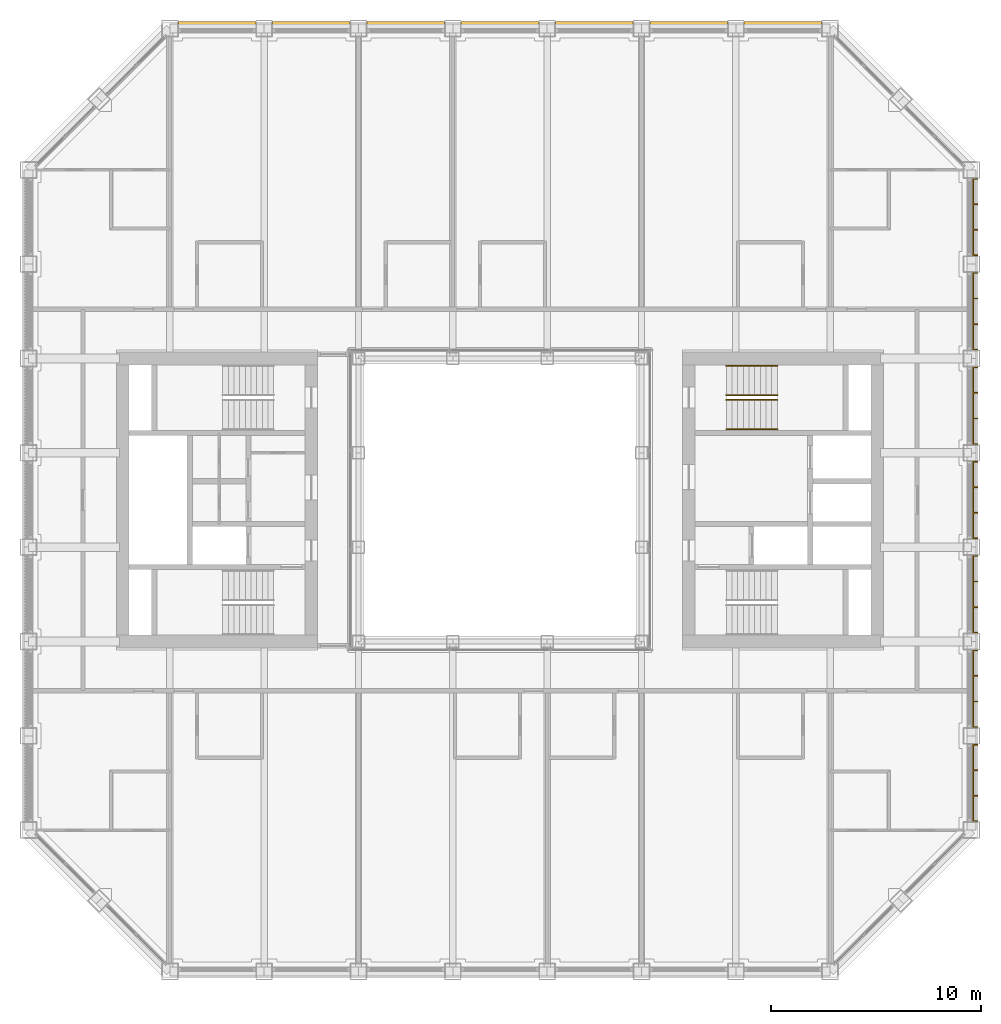
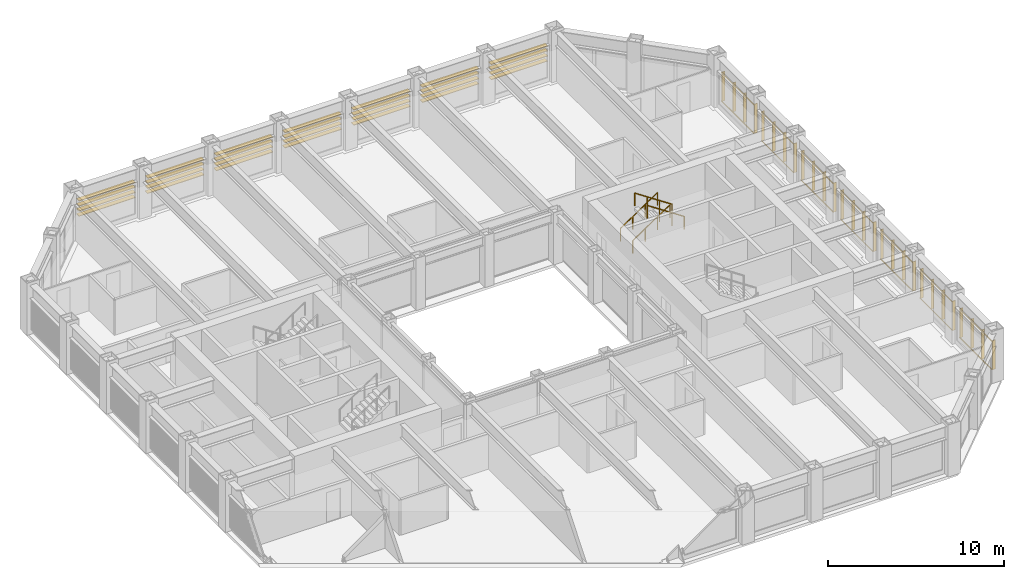
# One storey, part 17 of 17: 4 railings, 2 shading devices.
"""IFC4 building model written with IfcOpenShell, lengths in metres."""

from ifc_helpers import new_model, si_unit, direction, frame, origin, origin_2d, place, context, subcontext, project, spatial, rectangle, circle, extrude, material, type_object, element, save


model = new_model("IFC4")

# Units and contexts
model_context = context("Model", 3, precision=1e-05, world=origin(), true_north=direction((0.0, 1.0)))
body_context = subcontext(model_context, "Body", "Model", "MODEL_VIEW")
ifc_project = project(units=[si_unit("LENGTHUNIT", "METRE"), si_unit("AREAUNIT", "SQUARE_METRE"), si_unit("VOLUMEUNIT", "CUBIC_METRE"), si_unit("PLANEANGLEUNIT", "RADIAN"), si_unit("MASSUNIT", "GRAM", prefix="KILO")], contexts=[model_context])

# Site, building, storey
site_placement = place(None, origin())
site = spatial("IfcSite", under=ifc_project, at=site_placement, CompositionType="ELEMENT")
building_placement = place(site_placement, origin())
building = spatial("IfcBuilding", under=site, at=building_placement, Name="Msasa Ring Tower", CompositionType="ELEMENT")
storey_placement = place(building_placement, frame((0.0, 0.0, 168.800048828125)))
storey = spatial("IfcBuildingStorey", under=building, at=storey_placement, Name="L44", CompositionType="ELEMENT", Elevation=168.800048828125)

# Shading device
ifc_material_1 = material(Name="Extruded terracotta on aluminium carriers", Category="masonry")
shading_device_type_1 = type_object("IfcShadingDeviceType", Name="BS2 TERRACOTTA FIN SCREEN 40x200 AT 1350", PredefinedType="USERDEFINED", material=ifc_material_1)
shading_device_1_placement = place(storey_placement, origin())
element("IfcShadingDevice", 1, at=shading_device_1_placement, inside=storey, type_object=shading_device_type_1, Name="Terracotta fin screen E L44", ObjectType="BAGUETTE", PredefinedType="USERDEFINED", context=body_context, shape_type="SweptSolid", body=[
    extrude(rectangle(XDim=0.06005859375, YDim=0.0400390625, at=origin_2d()), frame((22.580078125, -15.35009765625, 0.329833984375), z_axis=(0.0, 1.0, 0.0), x_axis=(0.0, 0.0, 1.0)), (0.0, 0.0, 1.0), 3.699951171875),
    extrude(rectangle(XDim=0.06005859375, YDim=0.0400390625, at=origin_2d()), frame((22.580078125, -15.35009765625, 2.299072265625), z_axis=(0.0, 1.0, 0.0), x_axis=(0.0, 0.0, 1.0)), (0.0, 0.0, 1.0), 3.699951171875),
    extrude(rectangle(XDim=0.0400390625, YDim=0.199951171875, at=origin_2d()), frame((22.695068359375, -15.330078125, 0.300048828125), z_axis=(0.0, 0.0, 1.0), x_axis=(0.0, 1.0, 0.0)), (0.0, 0.0, 1.0), 2.02880859375),
    extrude(rectangle(XDim=0.0400390625, YDim=0.199951171875, at=origin_2d()), frame((22.695068359375, -14.110107421875, 0.300048828125), z_axis=(0.0, 0.0, 1.0), x_axis=(0.0, 1.0, 0.0)), (0.0, 0.0, 1.0), 2.02880859375),
    extrude(rectangle(XDim=0.0400390625, YDim=0.199951171875, at=origin_2d()), frame((22.695068359375, -12.889892578125, 0.300048828125), z_axis=(0.0, 0.0, 1.0), x_axis=(0.0, 1.0, 0.0)), (0.0, 0.0, 1.0), 2.02880859375),
    extrude(rectangle(XDim=0.0400390625, YDim=0.199951171875, at=origin_2d()), frame((22.695068359375, -11.669921875, 0.300048828125), z_axis=(0.0, 0.0, 1.0), x_axis=(0.0, 1.0, 0.0)), (0.0, 0.0, 1.0), 2.02880859375),
    extrude(rectangle(XDim=0.06005859375, YDim=0.0400390625, at=origin_2d()), frame((22.580078125, -10.85009765625, 0.329833984375), z_axis=(0.0, 1.0, 0.0), x_axis=(0.0, 0.0, 1.0)), (0.0, 0.0, 1.0), 3.699951171875),
    extrude(rectangle(XDim=0.06005859375, YDim=0.0400390625, at=origin_2d()), frame((22.580078125, -10.85009765625, 2.299072265625), z_axis=(0.0, 1.0, 0.0), x_axis=(0.0, 0.0, 1.0)), (0.0, 0.0, 1.0), 3.699951171875),
    extrude(rectangle(XDim=0.0400390625, YDim=0.199951171875, at=origin_2d()), frame((22.695068359375, -10.830078125, 0.300048828125), z_axis=(0.0, 0.0, 1.0), x_axis=(0.0, 1.0, 0.0)), (0.0, 0.0, 1.0), 2.02880859375),
    extrude(rectangle(XDim=0.0400390625, YDim=0.199951171875, at=origin_2d()), frame((22.695068359375, -9.610107421875, 0.300048828125), z_axis=(0.0, 0.0, 1.0), x_axis=(0.0, 1.0, 0.0)), (0.0, 0.0, 1.0), 2.02880859375),
    extrude(rectangle(XDim=0.0400390625, YDim=0.199951171875, at=origin_2d()), frame((22.695068359375, -8.389892578125, 0.300048828125), z_axis=(0.0, 0.0, 1.0), x_axis=(0.0, 1.0, 0.0)), (0.0, 0.0, 1.0), 2.02880859375),
    extrude(rectangle(XDim=0.0400390625, YDim=0.199951171875, at=origin_2d()), frame((22.695068359375, -7.169921875, 0.300048828125), z_axis=(0.0, 0.0, 1.0), x_axis=(0.0, 1.0, 0.0)), (0.0, 0.0, 1.0), 2.02880859375),
    extrude(rectangle(XDim=0.06005859375, YDim=0.0400390625, at=origin_2d()), frame((22.580078125, -6.35009765625, 0.329833984375), z_axis=(0.0, 1.0, 0.0), x_axis=(0.0, 0.0, 1.0)), (0.0, 0.0, 1.0), 3.699951171875),
    extrude(rectangle(XDim=0.06005859375, YDim=0.0400390625, at=origin_2d()), frame((22.580078125, -6.35009765625, 2.299072265625), z_axis=(0.0, 1.0, 0.0), x_axis=(0.0, 0.0, 1.0)), (0.0, 0.0, 1.0), 3.699951171875),
    extrude(rectangle(XDim=0.0400390625, YDim=0.199951171875, at=origin_2d()), frame((22.695068359375, -6.330078125, 0.300048828125), z_axis=(0.0, 0.0, 1.0), x_axis=(0.0, 1.0, 0.0)), (0.0, 0.0, 1.0), 2.02880859375),
    extrude(rectangle(XDim=0.0400390625, YDim=0.199951171875, at=origin_2d()), frame((22.695068359375, -5.110107421875, 0.300048828125), z_axis=(0.0, 0.0, 1.0), x_axis=(0.0, 1.0, 0.0)), (0.0, 0.0, 1.0), 2.02880859375),
    extrude(rectangle(XDim=0.0400390625, YDim=0.199951171875, at=origin_2d()), frame((22.695068359375, -3.889892578125, 0.300048828125), z_axis=(0.0, 0.0, 1.0), x_axis=(0.0, 1.0, 0.0)), (0.0, 0.0, 1.0), 2.02880859375),
    extrude(rectangle(XDim=0.0400390625, YDim=0.199951171875, at=origin_2d()), frame((22.695068359375, -2.669921875, 0.300048828125), z_axis=(0.0, 0.0, 1.0), x_axis=(0.0, 1.0, 0.0)), (0.0, 0.0, 1.0), 2.02880859375),
    extrude(rectangle(XDim=0.06005859375, YDim=0.0400390625, at=origin_2d()), frame((22.580078125, -1.85009765625, 0.329833984375), z_axis=(0.0, 1.0, 0.0), x_axis=(0.0, 0.0, 1.0)), (0.0, 0.0, 1.0), 3.699951171875),
    extrude(rectangle(XDim=0.06005859375, YDim=0.0400390625, at=origin_2d()), frame((22.580078125, -1.85009765625, 2.299072265625), z_axis=(0.0, 1.0, 0.0), x_axis=(0.0, 0.0, 1.0)), (0.0, 0.0, 1.0), 3.699951171875),
    extrude(rectangle(XDim=0.0400390625, YDim=0.199951171875, at=origin_2d()), frame((22.695068359375, -1.830078125, 0.300048828125), z_axis=(0.0, 0.0, 1.0), x_axis=(0.0, 1.0, 0.0)), (0.0, 0.0, 1.0), 2.02880859375),
    extrude(rectangle(XDim=0.0400390625, YDim=0.199951171875, at=origin_2d()), frame((22.695068359375, -0.610107421875, 0.300048828125), z_axis=(0.0, 0.0, 1.0), x_axis=(0.0, 1.0, 0.0)), (0.0, 0.0, 1.0), 2.02880859375),
    extrude(rectangle(XDim=0.0400390625, YDim=0.199951171875, at=origin_2d()), frame((22.695068359375, 0.610107421875, 0.300048828125), z_axis=(0.0, 0.0, 1.0), x_axis=(0.0, 1.0, 0.0)), (0.0, 0.0, 1.0), 2.02880859375),
    extrude(rectangle(XDim=0.0400390625, YDim=0.199951171875, at=origin_2d()), frame((22.695068359375, 1.830078125, 0.300048828125), z_axis=(0.0, 0.0, 1.0), x_axis=(0.0, 1.0, 0.0)), (0.0, 0.0, 1.0), 2.02880859375),
    extrude(rectangle(XDim=0.06005859375, YDim=0.0400390625, at=origin_2d()), frame((22.580078125, 2.64990234375, 0.329833984375), z_axis=(0.0, 1.0, 0.0), x_axis=(0.0, 0.0, 1.0)), (0.0, 0.0, 1.0), 3.699951171875),
    extrude(rectangle(XDim=0.06005859375, YDim=0.0400390625, at=origin_2d()), frame((22.580078125, 2.64990234375, 2.299072265625), z_axis=(0.0, 1.0, 0.0), x_axis=(0.0, 0.0, 1.0)), (0.0, 0.0, 1.0), 3.699951171875),
    extrude(rectangle(XDim=0.0400390625, YDim=0.199951171875, at=origin_2d()), frame((22.695068359375, 2.669921875, 0.300048828125), z_axis=(0.0, 0.0, 1.0), x_axis=(0.0, 1.0, 0.0)), (0.0, 0.0, 1.0), 2.02880859375),
    extrude(rectangle(XDim=0.0400390625, YDim=0.199951171875, at=origin_2d()), frame((22.695068359375, 3.889892578125, 0.300048828125), z_axis=(0.0, 0.0, 1.0), x_axis=(0.0, 1.0, 0.0)), (0.0, 0.0, 1.0), 2.02880859375),
    extrude(rectangle(XDim=0.0400390625, YDim=0.199951171875, at=origin_2d()), frame((22.695068359375, 5.110107421875, 0.300048828125), z_axis=(0.0, 0.0, 1.0), x_axis=(0.0, 1.0, 0.0)), (0.0, 0.0, 1.0), 2.02880859375),
    extrude(rectangle(XDim=0.0400390625, YDim=0.199951171875, at=origin_2d()), frame((22.695068359375, 6.330078125, 0.300048828125), z_axis=(0.0, 0.0, 1.0), x_axis=(0.0, 1.0, 0.0)), (0.0, 0.0, 1.0), 2.02880859375),
    extrude(rectangle(XDim=0.06005859375, YDim=0.0400390625, at=origin_2d()), frame((22.580078125, 7.14990234375, 0.329833984375), z_axis=(0.0, 1.0, 0.0), x_axis=(0.0, 0.0, 1.0)), (0.0, 0.0, 1.0), 3.699951171875),
    extrude(rectangle(XDim=0.06005859375, YDim=0.0400390625, at=origin_2d()), frame((22.580078125, 7.14990234375, 2.299072265625), z_axis=(0.0, 1.0, 0.0), x_axis=(0.0, 0.0, 1.0)), (0.0, 0.0, 1.0), 3.699951171875),
    extrude(rectangle(XDim=0.0400390625, YDim=0.199951171875, at=origin_2d()), frame((22.695068359375, 7.169921875, 0.300048828125), z_axis=(0.0, 0.0, 1.0), x_axis=(0.0, 1.0, 0.0)), (0.0, 0.0, 1.0), 2.02880859375),
    extrude(rectangle(XDim=0.0400390625, YDim=0.199951171875, at=origin_2d()), frame((22.695068359375, 8.389892578125, 0.300048828125), z_axis=(0.0, 0.0, 1.0), x_axis=(0.0, 1.0, 0.0)), (0.0, 0.0, 1.0), 2.02880859375),
    extrude(rectangle(XDim=0.0400390625, YDim=0.199951171875, at=origin_2d()), frame((22.695068359375, 9.610107421875, 0.300048828125), z_axis=(0.0, 0.0, 1.0), x_axis=(0.0, 1.0, 0.0)), (0.0, 0.0, 1.0), 2.02880859375),
    extrude(rectangle(XDim=0.0400390625, YDim=0.199951171875, at=origin_2d()), frame((22.695068359375, 10.830078125, 0.300048828125), z_axis=(0.0, 0.0, 1.0), x_axis=(0.0, 1.0, 0.0)), (0.0, 0.0, 1.0), 2.02880859375),
    extrude(rectangle(XDim=0.06005859375, YDim=0.0400390625, at=origin_2d()), frame((22.580078125, 11.64990234375, 0.329833984375), z_axis=(0.0, 1.0, 0.0), x_axis=(0.0, 0.0, 1.0)), (0.0, 0.0, 1.0), 3.699951171875),
    extrude(rectangle(XDim=0.06005859375, YDim=0.0400390625, at=origin_2d()), frame((22.580078125, 11.64990234375, 2.299072265625), z_axis=(0.0, 1.0, 0.0), x_axis=(0.0, 0.0, 1.0)), (0.0, 0.0, 1.0), 3.699951171875),
    extrude(rectangle(XDim=0.0400390625, YDim=0.199951171875, at=origin_2d()), frame((22.695068359375, 11.669921875, 0.300048828125), z_axis=(0.0, 0.0, 1.0), x_axis=(0.0, 1.0, 0.0)), (0.0, 0.0, 1.0), 2.02880859375),
    extrude(rectangle(XDim=0.0400390625, YDim=0.199951171875, at=origin_2d()), frame((22.695068359375, 12.889892578125, 0.300048828125), z_axis=(0.0, 0.0, 1.0), x_axis=(0.0, 1.0, 0.0)), (0.0, 0.0, 1.0), 2.02880859375),
    extrude(rectangle(XDim=0.0400390625, YDim=0.199951171875, at=origin_2d()), frame((22.695068359375, 14.110107421875, 0.300048828125), z_axis=(0.0, 0.0, 1.0), x_axis=(0.0, 1.0, 0.0)), (0.0, 0.0, 1.0), 2.02880859375),
    extrude(rectangle(XDim=0.0400390625, YDim=0.199951171875, at=origin_2d()), frame((22.695068359375, 15.330078125, 0.300048828125), z_axis=(0.0, 0.0, 1.0), x_axis=(0.0, 1.0, 0.0)), (0.0, 0.0, 1.0), 2.02880859375),
])

# Railings
ifc_material_2 = material(Name="Stainless steel", Category="steel")
railing_type = type_object("IfcRailingType", Name="HR1 HANDRAIL 900", PredefinedType="HANDRAIL", material=ifc_material_2)
for number, where, name in (
    (2, (10.800048828125, 5.0, 0.179931640625), "Handrail stair SEB L44 1"),
    (3, (10.800048828125, 6.39990234375, 0.179931640625), "Handrail stair SEB L44 2"),
):
    element("IfcRailing", number, at=place(storey_placement, frame(where)), inside=storey, type_object=railing_type, Name=name, PredefinedType="HANDRAIL", context=body_context, shape_type="SweptSolid", body=[
        extrude(circle(Radius=0.02392578125, at=origin_2d()), frame((0.0, 0.0, 0.8759765625), z_axis=(0.832024571796, 0.0, 0.554738778101), x_axis=(0.0, 1.0, 0.0)), (0.0, 0.0, 1.0), 2.92041015625),
        extrude(circle(Radius=0.02099609375, at=origin_2d()), origin(), (0.0, 0.0, 1.0), 0.851806640625),
        extrude(circle(Radius=0.02099609375, at=origin_2d()), frame((0.81005859375, 0.0, 0.5400390625)), (0.0, 0.0, 1.0), 0.851806640625),
        extrude(circle(Radius=0.02099609375, at=origin_2d()), frame((1.619873046875, 0.0, 1.080078125)), (0.0, 0.0, 1.0), 0.851806640625),
        extrude(circle(Radius=0.02099609375, at=origin_2d()), frame((2.429931640625, 0.0, 1.6201171875)), (0.0, 0.0, 1.0), 0.851806640625),
    ])
for number, where, name in (
    (4, (13.22998046875, 3.375, 1.97998046875), "Handrail stair SEB L44 3"),
    (5, (13.22998046875, 4.77490234375, 1.97998046875), "Handrail stair SEB L44 4"),
):
    element("IfcRailing", number, at=place(storey_placement, frame(where)), inside=storey, type_object=railing_type, Name=name, PredefinedType="HANDRAIL", context=body_context, shape_type="SweptSolid", body=[
        extrude(circle(Radius=0.02392578125, at=origin_2d()), frame((0.0, 0.0, 0.8759765625), z_axis=(-0.832063155534, 0.0, 0.554680903946), x_axis=(0.0, -1.0, 0.0)), (0.0, 0.0, 1.0), 2.92041015625),
        extrude(circle(Radius=0.02099609375, at=origin_2d()), origin(), (0.0, 0.0, 1.0), 0.851806640625),
        extrude(circle(Radius=0.02099609375, at=origin_2d()), frame((-0.81005859375, 0.0, 0.5400390625)), (0.0, 0.0, 1.0), 0.851806640625),
        extrude(circle(Radius=0.02099609375, at=origin_2d()), frame((-1.619873046875, 0.0, 1.079833984375)), (0.0, 0.0, 1.0), 0.851806640625),
        extrude(circle(Radius=0.02099609375, at=origin_2d()), frame((-2.429931640625, 0.0, 1.619873046875)), (0.0, 0.0, 1.0), 0.851806640625),
    ])

# Shading device
ifc_material_3 = material(Name="Extruded terracotta blades", Category="masonry")
shading_device_type_2 = type_object("IfcShadingDeviceType", Name="SS1 TERRACOTTA SUNSHADE 4 BLADES 300x40 AT 350", PredefinedType="USERDEFINED", material=ifc_material_3)
shading_device_2_placement = place(storey_placement, origin())
element("IfcShadingDevice", 6, at=shading_device_2_placement, inside=storey, type_object=shading_device_type_2, Name="Terracotta sunshade N L44", ObjectType="SUNSHADE", PredefinedType="USERDEFINED", context=body_context, shape_type="SweptSolid", body=[
    extrude(rectangle(XDim=0.0400390625, YDim=0.300048828125, at=origin_2d()), frame((-15.35009765625, 22.679931640625, 2.308837890625), z_axis=(1.0, 0.0, 0.0), x_axis=(0.0, 0.0, 1.0)), (0.0, 0.0, 1.0), 3.699951171875),
    extrude(rectangle(XDim=0.0400390625, YDim=0.300048828125, at=origin_2d()), frame((-15.35009765625, 22.679931640625, 1.958984375), z_axis=(1.0, 0.0, 0.0), x_axis=(0.0, 0.0, 1.0)), (0.0, 0.0, 1.0), 3.699951171875),
    extrude(rectangle(XDim=0.0400390625, YDim=0.300048828125, at=origin_2d()), frame((-15.35009765625, 22.679931640625, 1.60888671875), z_axis=(1.0, 0.0, 0.0), x_axis=(0.0, 0.0, 1.0)), (0.0, 0.0, 1.0), 3.699951171875),
    extrude(rectangle(XDim=0.0400390625, YDim=0.300048828125, at=origin_2d()), frame((-15.35009765625, 22.679931640625, 1.259033203125), z_axis=(1.0, 0.0, 0.0), x_axis=(0.0, 0.0, 1.0)), (0.0, 0.0, 1.0), 3.699951171875),
    extrude(rectangle(XDim=0.0400390625, YDim=0.300048828125, at=origin_2d()), frame((-10.85009765625, 22.679931640625, 2.308837890625), z_axis=(1.0, 0.0, 0.0), x_axis=(0.0, 0.0, 1.0)), (0.0, 0.0, 1.0), 3.699951171875),
    extrude(rectangle(XDim=0.0400390625, YDim=0.300048828125, at=origin_2d()), frame((-10.85009765625, 22.679931640625, 1.958984375), z_axis=(1.0, 0.0, 0.0), x_axis=(0.0, 0.0, 1.0)), (0.0, 0.0, 1.0), 3.699951171875),
    extrude(rectangle(XDim=0.0400390625, YDim=0.300048828125, at=origin_2d()), frame((-10.85009765625, 22.679931640625, 1.60888671875), z_axis=(1.0, 0.0, 0.0), x_axis=(0.0, 0.0, 1.0)), (0.0, 0.0, 1.0), 3.699951171875),
    extrude(rectangle(XDim=0.0400390625, YDim=0.300048828125, at=origin_2d()), frame((-10.85009765625, 22.679931640625, 1.259033203125), z_axis=(1.0, 0.0, 0.0), x_axis=(0.0, 0.0, 1.0)), (0.0, 0.0, 1.0), 3.699951171875),
    extrude(rectangle(XDim=0.0400390625, YDim=0.300048828125, at=origin_2d()), frame((-6.35009765625, 22.679931640625, 2.308837890625), z_axis=(1.0, 0.0, 0.0), x_axis=(0.0, 0.0, 1.0)), (0.0, 0.0, 1.0), 3.699951171875),
    extrude(rectangle(XDim=0.0400390625, YDim=0.300048828125, at=origin_2d()), frame((-6.35009765625, 22.679931640625, 1.958984375), z_axis=(1.0, 0.0, 0.0), x_axis=(0.0, 0.0, 1.0)), (0.0, 0.0, 1.0), 3.699951171875),
    extrude(rectangle(XDim=0.0400390625, YDim=0.300048828125, at=origin_2d()), frame((-6.35009765625, 22.679931640625, 1.60888671875), z_axis=(1.0, 0.0, 0.0), x_axis=(0.0, 0.0, 1.0)), (0.0, 0.0, 1.0), 3.699951171875),
    extrude(rectangle(XDim=0.0400390625, YDim=0.300048828125, at=origin_2d()), frame((-6.35009765625, 22.679931640625, 1.259033203125), z_axis=(1.0, 0.0, 0.0), x_axis=(0.0, 0.0, 1.0)), (0.0, 0.0, 1.0), 3.699951171875),
    extrude(rectangle(XDim=0.0400390625, YDim=0.300048828125, at=origin_2d()), frame((-1.85009765625, 22.679931640625, 2.308837890625), z_axis=(1.0, 0.0, 0.0), x_axis=(0.0, 0.0, 1.0)), (0.0, 0.0, 1.0), 3.699951171875),
    extrude(rectangle(XDim=0.0400390625, YDim=0.300048828125, at=origin_2d()), frame((-1.85009765625, 22.679931640625, 1.958984375), z_axis=(1.0, 0.0, 0.0), x_axis=(0.0, 0.0, 1.0)), (0.0, 0.0, 1.0), 3.699951171875),
    extrude(rectangle(XDim=0.0400390625, YDim=0.300048828125, at=origin_2d()), frame((-1.85009765625, 22.679931640625, 1.60888671875), z_axis=(1.0, 0.0, 0.0), x_axis=(0.0, 0.0, 1.0)), (0.0, 0.0, 1.0), 3.699951171875),
    extrude(rectangle(XDim=0.0400390625, YDim=0.300048828125, at=origin_2d()), frame((-1.85009765625, 22.679931640625, 1.259033203125), z_axis=(1.0, 0.0, 0.0), x_axis=(0.0, 0.0, 1.0)), (0.0, 0.0, 1.0), 3.699951171875),
    extrude(rectangle(XDim=0.0400390625, YDim=0.300048828125, at=origin_2d()), frame((2.64990234375, 22.679931640625, 2.308837890625), z_axis=(1.0, 0.0, 0.0), x_axis=(0.0, 0.0, 1.0)), (0.0, 0.0, 1.0), 3.699951171875),
    extrude(rectangle(XDim=0.0400390625, YDim=0.300048828125, at=origin_2d()), frame((2.64990234375, 22.679931640625, 1.958984375), z_axis=(1.0, 0.0, 0.0), x_axis=(0.0, 0.0, 1.0)), (0.0, 0.0, 1.0), 3.699951171875),
    extrude(rectangle(XDim=0.0400390625, YDim=0.300048828125, at=origin_2d()), frame((2.64990234375, 22.679931640625, 1.60888671875), z_axis=(1.0, 0.0, 0.0), x_axis=(0.0, 0.0, 1.0)), (0.0, 0.0, 1.0), 3.699951171875),
    extrude(rectangle(XDim=0.0400390625, YDim=0.300048828125, at=origin_2d()), frame((2.64990234375, 22.679931640625, 1.259033203125), z_axis=(1.0, 0.0, 0.0), x_axis=(0.0, 0.0, 1.0)), (0.0, 0.0, 1.0), 3.699951171875),
    extrude(rectangle(XDim=0.0400390625, YDim=0.300048828125, at=origin_2d()), frame((7.14990234375, 22.679931640625, 2.308837890625), z_axis=(1.0, 0.0, 0.0), x_axis=(0.0, 0.0, 1.0)), (0.0, 0.0, 1.0), 3.699951171875),
    extrude(rectangle(XDim=0.0400390625, YDim=0.300048828125, at=origin_2d()), frame((7.14990234375, 22.679931640625, 1.958984375), z_axis=(1.0, 0.0, 0.0), x_axis=(0.0, 0.0, 1.0)), (0.0, 0.0, 1.0), 3.699951171875),
    extrude(rectangle(XDim=0.0400390625, YDim=0.300048828125, at=origin_2d()), frame((7.14990234375, 22.679931640625, 1.60888671875), z_axis=(1.0, 0.0, 0.0), x_axis=(0.0, 0.0, 1.0)), (0.0, 0.0, 1.0), 3.699951171875),
    extrude(rectangle(XDim=0.0400390625, YDim=0.300048828125, at=origin_2d()), frame((7.14990234375, 22.679931640625, 1.259033203125), z_axis=(1.0, 0.0, 0.0), x_axis=(0.0, 0.0, 1.0)), (0.0, 0.0, 1.0), 3.699951171875),
    extrude(rectangle(XDim=0.0400390625, YDim=0.300048828125, at=origin_2d()), frame((11.64990234375, 22.679931640625, 2.308837890625), z_axis=(1.0, 0.0, 0.0), x_axis=(0.0, 0.0, 1.0)), (0.0, 0.0, 1.0), 3.699951171875),
    extrude(rectangle(XDim=0.0400390625, YDim=0.300048828125, at=origin_2d()), frame((11.64990234375, 22.679931640625, 1.958984375), z_axis=(1.0, 0.0, 0.0), x_axis=(0.0, 0.0, 1.0)), (0.0, 0.0, 1.0), 3.699951171875),
    extrude(rectangle(XDim=0.0400390625, YDim=0.300048828125, at=origin_2d()), frame((11.64990234375, 22.679931640625, 1.60888671875), z_axis=(1.0, 0.0, 0.0), x_axis=(0.0, 0.0, 1.0)), (0.0, 0.0, 1.0), 3.699951171875),
    extrude(rectangle(XDim=0.0400390625, YDim=0.300048828125, at=origin_2d()), frame((11.64990234375, 22.679931640625, 1.259033203125), z_axis=(1.0, 0.0, 0.0), x_axis=(0.0, 0.0, 1.0)), (0.0, 0.0, 1.0), 3.699951171875),
])

save(model, "model.ifc")
